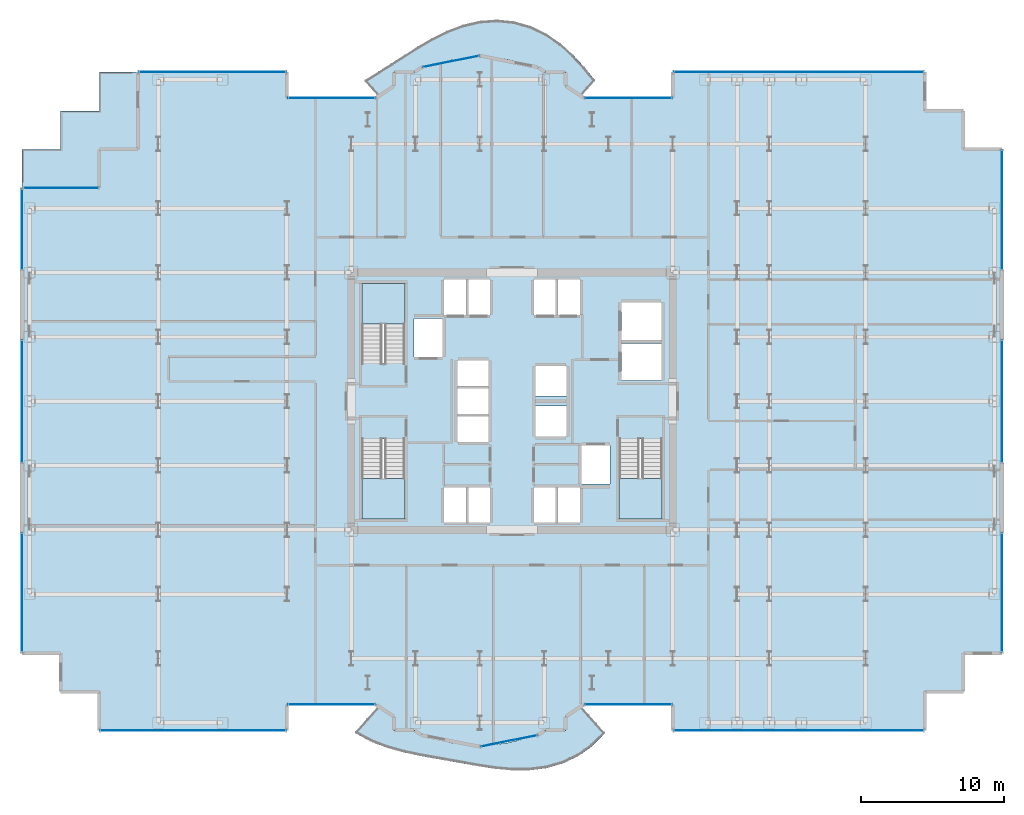
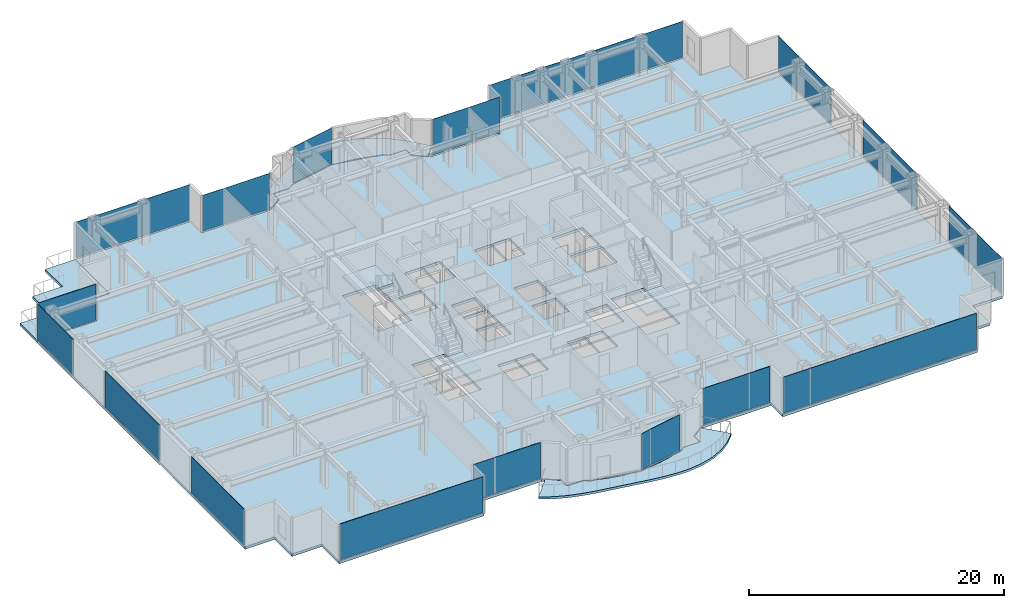
# One storey, part 20 of 29: 17 plates, 7 slabs, 20 elements without a shape of their own.
"""IFC4 building model written with IfcOpenShell, lengths in metres."""

from ifc_helpers import new_model, si_unit, direction, frame, origin, origin_2d, place, context, subcontext, project, spatial, polyline, rectangle, outline, extrude, source, transform, mapped, material, layer, layer_set, type_object, element, aggregate, save


model = new_model("IFC4")

# Units and contexts
model_context = context("Model", 3, precision=1e-05, world=origin(), true_north=direction((0.0, 1.0)))
body_context = subcontext(model_context, "Body", "Model", "MODEL_VIEW")
ifc_project = project(units=[si_unit("LENGTHUNIT", "METRE"), si_unit("AREAUNIT", "SQUARE_METRE"), si_unit("VOLUMEUNIT", "CUBIC_METRE"), si_unit("PLANEANGLEUNIT", "RADIAN"), si_unit("MASSUNIT", "GRAM", prefix="KILO")], contexts=[model_context])

# Site, building, storey
site_placement = place(None, origin())
site = spatial("IfcSite", under=ifc_project, at=site_placement, CompositionType="ELEMENT")
building_placement = place(site_placement, origin())
building = spatial("IfcBuilding", under=site, at=building_placement, Name="Nefas-Gora Pilgrimage Tower", CompositionType="ELEMENT")
storey_placement = place(building_placement, frame((0.0, 0.0, 125.0)))
storey = spatial("IfcBuildingStorey", under=building, at=storey_placement, Name="L30", CompositionType="ELEMENT", Elevation=125.0)

# Slabs
ifc_material_1 = material(Name="Concrete C40/50", Category="concrete")
ifc_layer_1 = layer(ifc_material_1, 0.219970703125)
ifc_layer_set_1 = layer_set([ifc_layer_1], Name="Concrete C40/50")
slab_type_1 = type_object("IfcSlabType", Name="SLB-BAL-P3", PredefinedType="FLOOR", material=ifc_layer_set_1)
slab_1_placement = place(storey_placement, frame((0.0, 0.0, -0.219970703125)))
element("IfcSlab", 1, at=slab_1_placement, inside=storey, type_object=slab_type_1, Name="L30 Sinusoidal Lobe Balcony Slab S (Phase 3)", PredefinedType="FLOOR", context=body_context, shape_type="SweptSolid", body=[
    extrude(outline(polyline([(4.78759765625, -21.385986328125), (4.724609375, -21.427978515625), (4.038330078125, -21.9912109375), (3.760009765625, -22.179931640625), (3.760009765625, -23.02001953125), (3.760009765625, -23.02099609375), (3.759765625, -23.02197265625), (3.759521484375, -23.02294921875), (3.75927734375, -23.023681640625), (3.7587890625, -23.024658203125), (3.75830078125, -23.025634765625), (3.7578125, -23.0263671875), (3.757080078125, -23.027099609375), (3.75634765625, -23.027587890625), (3.755615234375, -23.0283203125), (3.754638671875, -23.02880859375), (3.75390625, -23.029296875), (3.7529296875, -23.029541015625), (3.751953125, -23.02978515625), (3.7509765625, -23.030029296875), (3.75, -23.030029296875), (2.3271484375, -23.030029296875), (1.81298828125, -23.37353515625), (1.81201171875, -23.3740234375), (1.811279296875, -23.37451171875), (1.810302734375, -23.375), (1.809326171875, -23.375), (1.13037109375, -23.51025390625), (0.602783203125, -23.685302734375), (-0.334716796875, -23.904052734375), (-1.288330078125, -24.035888671875), (-1.580078125, -24.04931640625), (-2.248046875, -24.18212890625), (-2.2490234375, -24.182373046875), (-2.25, -24.182373046875), (-2.2509765625, -24.182373046875), (-2.251953125, -24.18212890625), (-2.919921875, -24.04931640625), (-3.211669921875, -24.035888671875), (-4.165283203125, -23.904052734375), (-5.102783203125, -23.685302734375), (-5.63037109375, -23.51025390625), (-6.309326171875, -23.375), (-6.310302734375, -23.375), (-6.311279296875, -23.37451171875), (-6.31201171875, -23.3740234375), (-6.31298828125, -23.37353515625), (-6.8271484375, -23.030029296875), (-8.25, -23.030029296875), (-8.2509765625, -23.030029296875), (-8.251953125, -23.02978515625), (-8.2529296875, -23.029541015625), (-8.25390625, -23.029296875), (-8.254638671875, -23.02880859375), (-8.255615234375, -23.0283203125), (-8.25634765625, -23.027587890625), (-8.257080078125, -23.027099609375), (-8.2578125, -23.0263671875), (-8.25830078125, -23.025634765625), (-8.2587890625, -23.024658203125), (-8.25927734375, -23.023681640625), (-8.259521484375, -23.02294921875), (-8.259765625, -23.02197265625), (-8.260009765625, -23.02099609375), (-8.260009765625, -23.02001953125), (-8.260009765625, -22.179931640625), (-8.538330078125, -21.9912109375), (-9.224609375, -21.427978515625), (-9.28759765625, -21.385986328125), (-10.9453125, -23.22705078125), (-9.891357421875, -23.802978515625), (-8.784912109375, -24.234130859375), (-7.66455078125, -24.5498046875), (-6.555908203125, -24.787353515625), (-5.469482421875, -24.985107421875), (-4.400390625, -25.172607421875), (-3.333740234375, -25.3642578125), (-2.25, -25.554931640625), (-1.133544921875, -25.720947265625), (0.021240234375, -25.824951171875), (1.20556640625, -25.822509765625), (2.3955078125, -25.672119140625), (3.555908203125, -25.343505859375), (4.64599609375, -24.8232421875), (5.627197265625, -24.118896484375), (6.4716796875, -23.25634765625), (4.78759765625, -21.385986328125)])), origin(), (0.0, 0.0, 1.0), 0.219970703125),
])
ifc_layer_2 = layer(ifc_material_1, 0.22509765625)
ifc_layer_set_2 = layer_set([ifc_layer_2], Name="Concrete C40/50")
slab_type_2 = type_object("IfcSlabType", Name="SLB-BAL-P7", PredefinedType="FLOOR", material=ifc_layer_set_2)
slab_2_placement = place(storey_placement, frame((0.0, 0.0, -0.22509765625)))
element("IfcSlab", 2, at=slab_2_placement, inside=storey, type_object=slab_type_2, Name="L30 Sinusoidal Lobe Balcony Slab N (Phase 7)", PredefinedType="FLOOR", context=body_context, shape_type="SweptSolid", body=[
    extrude(outline(polyline([(-9.28759765625, 21.385986328125), (-9.224609375, 21.427978515625), (-8.538330078125, 21.9912109375), (-8.260009765625, 22.179931640625), (-8.260009765625, 23.02001953125), (-8.260009765625, 23.02099609375), (-8.259765625, 23.02197265625), (-8.259521484375, 23.02294921875), (-8.25927734375, 23.023681640625), (-8.2587890625, 23.024658203125), (-8.25830078125, 23.025634765625), (-8.2578125, 23.0263671875), (-8.257080078125, 23.027099609375), (-8.25634765625, 23.027587890625), (-8.255615234375, 23.0283203125), (-8.254638671875, 23.02880859375), (-8.25390625, 23.029296875), (-8.2529296875, 23.029541015625), (-8.251953125, 23.02978515625), (-8.2509765625, 23.030029296875), (-8.25, 23.030029296875), (-6.8271484375, 23.030029296875), (-6.31298828125, 23.37353515625), (-6.31201171875, 23.3740234375), (-6.311279296875, 23.37451171875), (-6.310302734375, 23.375), (-6.309326171875, 23.375), (-5.63037109375, 23.51025390625), (-5.102783203125, 23.685302734375), (-4.165283203125, 23.904052734375), (-3.211669921875, 24.035888671875), (-2.919921875, 24.04931640625), (-2.251953125, 24.18212890625), (-2.2509765625, 24.182373046875), (-2.25, 24.182373046875), (-2.2490234375, 24.182373046875), (-2.248046875, 24.18212890625), (-1.580078125, 24.04931640625), (-1.288330078125, 24.035888671875), (-0.334716796875, 23.904052734375), (0.602783203125, 23.685302734375), (1.13037109375, 23.51025390625), (1.809326171875, 23.375), (1.810302734375, 23.375), (1.811279296875, 23.37451171875), (1.81201171875, 23.3740234375), (1.81298828125, 23.37353515625), (2.3271484375, 23.030029296875), (3.75, 23.030029296875), (3.7509765625, 23.030029296875), (3.751953125, 23.02978515625), (3.7529296875, 23.029541015625), (3.75390625, 23.029296875), (3.754638671875, 23.02880859375), (3.755615234375, 23.0283203125), (3.75634765625, 23.027587890625), (3.757080078125, 23.027099609375), (3.7578125, 23.0263671875), (3.75830078125, 23.025634765625), (3.7587890625, 23.024658203125), (3.75927734375, 23.023681640625), (3.759521484375, 23.02294921875), (3.759765625, 23.02197265625), (3.760009765625, 23.02099609375), (3.760009765625, 23.02001953125), (3.760009765625, 22.179931640625), (4.038330078125, 21.9912109375), (4.724609375, 21.427978515625), (4.78759765625, 21.385986328125), (5.782958984375, 22.491455078125), (5.06689453125, 23.368408203125), (4.27734375, 24.2216796875), (3.392578125, 25.01220703125), (2.4033203125, 25.692138671875), (1.316650390625, 26.21630859375), (0.155517578125, 26.548583984375), (-1.046142578125, 26.6708984375), (-2.25, 26.585205078125), (-3.4208984375, 26.314208984375), (-4.53466796875, 25.896484375), (-5.580322265625, 25.37890625), (-6.563720703125, 24.807373046875), (-7.501220703125, 24.218505859375), (-8.41650390625, 23.6328125), (-9.330810546875, 23.052490234375), (-10.256591796875, 22.462158203125), (-9.28759765625, 21.385986328125)])), origin(), (0.0, 0.0, 1.0), 0.22509765625),
])
ifc_layer_3 = layer(ifc_material_1, 0.239990234375)
ifc_layer_set_3 = layer_set([ifc_layer_3], Name="Concrete C40/50")
slab_type_3 = type_object("IfcSlabType", Name="SLB-TER-SP-NW", PredefinedType="FLOOR", material=ifc_layer_set_3)
slab_3_placement = place(storey_placement, frame((0.0, 0.0, -0.239990234375)))
element("IfcSlab", 3, at=slab_3_placement, inside=storey, type_object=slab_type_3, Name="L30 Outdoor Sky Terrace Slab TER-SP-NW", PredefinedType="FLOOR", context=body_context, shape_type="SweptSolid", body=[
    extrude(outline(polyline([(-34.27001953125, 14.919921875), (-28.8701171875, 14.919921875), (-28.8701171875, 17.6201171875), (-26.169921875, 17.6201171875), (-26.169921875, 23.02001953125), (-28.8701171875, 23.02001953125), (-28.8701171875, 20.320068359375), (-31.570068359375, 20.320068359375), (-31.570068359375, 17.6201171875), (-34.27001953125, 17.6201171875), (-34.27001953125, 14.919921875)])), origin(), (0.0, 0.0, 1.0), 0.239990234375),
])
ifc_layer_4 = layer(ifc_material_1, 0.25)
ifc_layer_set_4 = layer_set([ifc_layer_4], Name="Concrete C40/50")
slab_type_4 = type_object("IfcSlabType", Name="SLB-TWR-250", PredefinedType="FLOOR", material=ifc_layer_set_4)
slab_4_placement = place(storey_placement, frame((0.0, 0.0, -0.25)))
element("IfcSlab", 4, at=slab_4_placement, inside=storey, type_object=slab_type_4, Name="L30 Structural Floor Slab", PredefinedType="FLOOR", context=body_context, shape_type="SweptSolid", body=[
    extrude(outline(polyline([(5.01806640625, -21.219970703125), (11.25, -21.219970703125), (11.25, -23.02001953125), (28.8701171875, -23.02001953125), (28.8701171875, -20.320068359375), (31.570068359375, -20.320068359375), (31.570068359375, -17.6201171875), (34.27001953125, -17.6201171875), (34.27001953125, 17.6201171875), (31.570068359375, 17.6201171875), (31.570068359375, 20.320068359375), (28.8701171875, 20.320068359375), (28.8701171875, 23.02001953125), (11.25, 23.02001953125), (11.25, 21.219970703125), (5.01806640625, 21.219970703125), (3.75, 22.0673828125), (3.75, 23.02001953125), (2.32421875, 23.02001953125), (1.807373046875, 23.365234375), (-2.25, 24.17236328125), (-6.307373046875, 23.365234375), (-6.82421875, 23.02001953125), (-8.25, 23.02001953125), (-8.25, 22.0673828125), (-9.51806640625, 21.219970703125), (-15.75, 21.219970703125), (-15.75, 23.02001953125), (-26.169921875, 23.02001953125), (-26.169921875, 17.6201171875), (-28.8701171875, 17.6201171875), (-28.8701171875, 14.919921875), (-34.27001953125, 14.919921875), (-34.27001953125, -17.6201171875), (-31.570068359375, -17.6201171875), (-31.570068359375, -20.320068359375), (-28.8701171875, -20.320068359375), (-28.8701171875, -23.02001953125), (-15.75, -23.02001953125), (-15.75, -21.219970703125), (-9.51806640625, -21.219970703125), (-8.25, -22.0673828125), (-8.25, -23.02001953125), (-6.82421875, -23.02001953125), (-6.307373046875, -23.365234375), (-2.25, -24.17236328125), (1.807373046875, -23.365234375), (2.32421875, -23.02001953125), (3.75, -23.02001953125), (3.75, -22.0673828125), (5.01806640625, -21.219970703125)]), holes=[polyline([(-10.5, 2.639892578125), (-10.5, 8.25), (-7.5, 8.25), (-7.5, 2.639892578125), (-10.5, 2.639892578125)]), polyline([(10.5, -2.639892578125), (10.5, -8.25), (7.5, -8.25), (7.5, -2.639892578125), (10.5, -2.639892578125)]), polyline([(-7.5, -2.639892578125), (-7.5, -8.25), (-10.5, -8.25), (-10.5, -2.639892578125), (-7.5, -2.639892578125)]), polyline([(-6.85009765625, 5.800048828125), (-4.85009765625, 5.800048828125), (-4.85009765625, 3.10009765625), (-6.85009765625, 3.10009765625), (-6.85009765625, 5.800048828125)]), polyline([(4.85009765625, -3.10009765625), (6.85009765625, -3.10009765625), (6.85009765625, -5.800048828125), (4.85009765625, -5.800048828125), (4.85009765625, -3.10009765625)]), polyline([(7.64990234375, 4.050048828125), (10.449951171875, 4.050048828125), (10.449951171875, 1.449951171875), (7.64990234375, 1.449951171875), (7.64990234375, 4.050048828125)]), polyline([(7.64990234375, 6.89990234375), (10.449951171875, 6.89990234375), (10.449951171875, 4.300048828125), (7.64990234375, 4.300048828125), (7.64990234375, 6.89990234375)]), polyline([(-4.75, 8.5), (-3.14990234375, 8.5), (-3.14990234375, 6.050048828125), (-4.75, 6.050048828125), (-4.75, 8.5)]), polyline([(-3.10009765625, 8.5), (-1.550048828125, 8.5), (-1.550048828125, 6.050048828125), (-3.10009765625, 6.050048828125), (-3.10009765625, 8.5)]), polyline([(1.550048828125, 8.5), (3.10009765625, 8.5), (3.10009765625, 6.050048828125), (1.550048828125, 6.050048828125), (1.550048828125, 8.5)]), polyline([(3.14990234375, 8.5), (4.75, 8.5), (4.75, 6.050048828125), (3.14990234375, 6.050048828125), (3.14990234375, 8.5)]), polyline([(-4.75, -6.050048828125), (-3.14990234375, -6.050048828125), (-3.14990234375, -8.5), (-4.75, -8.5), (-4.75, -6.050048828125)]), polyline([(-3.10009765625, -6.050048828125), (-1.550048828125, -6.050048828125), (-1.550048828125, -8.5), (-3.10009765625, -8.5), (-3.10009765625, -6.050048828125)]), polyline([(1.550048828125, -6.050048828125), (3.10009765625, -6.050048828125), (3.10009765625, -8.5), (1.550048828125, -8.5), (1.550048828125, -6.050048828125)]), polyline([(3.14990234375, -6.050048828125), (4.75, -6.050048828125), (4.75, -8.5), (3.14990234375, -8.5), (3.14990234375, -6.050048828125)]), polyline([(-3.800048828125, -1.050048828125), (-1.64990234375, -1.050048828125), (-1.64990234375, -2.85009765625), (-3.800048828125, -2.85009765625), (-3.800048828125, -1.050048828125)]), polyline([(-3.800048828125, 0.89990234375), (-1.64990234375, 0.89990234375), (-1.64990234375, -0.89990234375), (-3.800048828125, -0.89990234375), (-3.800048828125, 0.89990234375)]), polyline([(-3.800048828125, 2.85009765625), (-1.64990234375, 2.85009765625), (-1.64990234375, 1.050048828125), (-3.800048828125, 1.050048828125), (-3.800048828125, 2.85009765625)]), polyline([(1.64990234375, -0.35009765625), (3.800048828125, -0.35009765625), (3.800048828125, -2.449951171875), (1.64990234375, -2.449951171875), (1.64990234375, -0.35009765625)]), polyline([(1.64990234375, 2.449951171875), (3.800048828125, 2.449951171875), (3.800048828125, 0.35009765625), (1.64990234375, 0.35009765625), (1.64990234375, 2.449951171875)])]), origin(), (0.0, 0.0, 1.0), 0.25),
])

# Stair, slab
ifc_material_2 = material(Name="Concrete C45/55", Category="concrete")
stair_type = type_object("IfcStairType", Name="STR-1400-R1727", PredefinedType="HALF_TURN_STAIR", material=ifc_material_2)
stair_1_placement = place(storey_placement, origin())
stair_1 = element("IfcStair", 5, at=stair_1_placement, inside=storey, type_object=stair_type, Name="L30 Pressurised Tower Exit Stair ST-01", PredefinedType="HALF_TURN_STAIR")
ifc_layer_5 = layer(ifc_material_1, 0.199951171875)
ifc_layer_set_5 = layer_set([ifc_layer_5], Name="Concrete C40/50")
slab_type_5 = type_object("IfcSlabType", Name="STR-LAND-200", PredefinedType="LANDING", material=ifc_layer_set_5)
slab_5_placement = place(storey_placement, frame((0.0, 0.0, 1.699951171875)))
slab_5 = element("IfcSlab", 6, at=slab_5_placement, type_object=slab_type_5, Name="ST-01 landing 1", PredefinedType="LANDING", context=body_context, shape_type="SweptSolid", body=[
    extrude(outline(polyline([(-7.5, 5.39990234375), (-7.5, 8.25), (-10.5, 8.25), (-10.5, 5.39990234375), (-7.5, 5.39990234375)])), origin(), (0.0, 0.0, 1.0), 0.199951171875),
])
aggregate(stair_1, [slab_5])

stair_2_placement = place(storey_placement, origin())
stair_2 = element("IfcStair", 7, at=stair_2_placement, inside=storey, type_object=stair_type, Name="L30 Pressurised Tower Exit Stair ST-02", PredefinedType="HALF_TURN_STAIR")
slab_6_placement = place(storey_placement, frame((0.0, 0.0, 1.699951171875)))
slab_6 = element("IfcSlab", 8, at=slab_6_placement, type_object=slab_type_5, Name="ST-02 landing 1", PredefinedType="LANDING", context=body_context, shape_type="SweptSolid", body=[
    extrude(outline(polyline([(7.5, -5.39990234375), (7.5, -8.25), (10.5, -8.25), (10.5, -5.39990234375), (7.5, -5.39990234375)])), origin(), (0.0, 0.0, 1.0), 0.199951171875),
])
aggregate(stair_2, [slab_6])

stair_3_placement = place(storey_placement, origin())
stair_3 = element("IfcStair", 9, at=stair_3_placement, inside=storey, type_object=stair_type, Name="L30 Pressurised Tower Exit Stair ST-03", PredefinedType="HALF_TURN_STAIR")
slab_7_placement = place(storey_placement, frame((0.0, 0.0, 1.699951171875)))
slab_7 = element("IfcSlab", 10, at=slab_7_placement, type_object=slab_type_5, Name="ST-03 landing 1", PredefinedType="LANDING", context=body_context, shape_type="SweptSolid", body=[
    extrude(outline(polyline([(-10.5, -5.39990234375), (-10.5, -8.25), (-7.5, -8.25), (-7.5, -5.39990234375), (-10.5, -5.39990234375)])), origin(), (0.0, 0.0, 1.0), 0.199951171875),
])
aggregate(stair_3, [slab_7])

# Curtain wall, plate
ifc_material_3 = material(Name="Dark ceramic-fritted solar-control aluminium-glass curtain wall", Category="aluminium")
ifc_layer_6 = layer(ifc_material_3, 0.219970703125)
ifc_layer_set_6 = layer_set([ifc_layer_6], Name="Dark ceramic-fritted solar-control aluminium-glass curtain wall")
curtain_wall_type_1 = type_object("IfcCurtainWallType", Name="CW-SYS-5", PredefinedType="NOTDEFINED", material=ifc_layer_set_6)
curtain_wall_1_placement = place(storey_placement, origin())
curtain_wall_1 = element("IfcCurtainWall", 11, at=curtain_wall_1_placement, inside=storey, type_object=curtain_wall_type_1, Name="L30 Unitised Curtain Wall CW5", PredefinedType="NOTDEFINED")
ifc_material_4 = material(Name="Dark ceramic-printed low-e insulated glass", Category="glass")
ifc_layer_7 = layer(ifc_material_4, 0.028076171875)
ifc_layer_set_7 = layer_set([ifc_layer_7], Name="Dark ceramic-printed low-e insulated glass")
plate_type_1 = type_object("IfcPlateType", Name="CWP-PNL-5", PredefinedType="CURTAIN_PANEL", material=ifc_layer_set_7)
shared_shape_1 = source(origin(), body_context, "Body", "SweptSolid", [
    extrude(rectangle(XDim=6.052001953125, YDim=0.028076171875, at=origin_2d()), origin(), (0.0, 0.0, 1.0), 3.43994140625),
])
plate_1_placement = place(storey_placement, frame((8.134033203125, -21.219970703125, 0.10009765625), z_axis=(0.0, 0.0, 1.0), x_axis=(1.0, 0.0, 0.0)))
plate_1 = element("IfcPlate", 12, at=plate_1_placement, type_object=plate_type_1, Name="CW5 Ceramic-Fritted Glazing Panel 1", PredefinedType="CURTAIN_PANEL", context=body_context, shape_type="MappedRepresentation", body=[
    mapped(shared_shape_1, transform((0.0, 0.0, 0.0), x_axis=(1.0, 0.0, 0.0), y_axis=(0.0, 1.0, 0.0), z_axis=(0.0, 0.0, 1.0), scale=1.0)),
])
aggregate(curtain_wall_1, [plate_1])

curtain_wall_2_placement = place(storey_placement, origin())
curtain_wall_2 = element("IfcCurtainWall", 13, at=curtain_wall_2_placement, inside=storey, type_object=curtain_wall_type_1, Name="L30 Unitised Curtain Wall CW5", PredefinedType="NOTDEFINED")
plate_2_placement = place(storey_placement, frame((8.134033203125, 21.219970703125, 0.10009765625), z_axis=(0.0, 0.0, 1.0), x_axis=(-1.0, 0.0, 0.0)))
plate_2 = element("IfcPlate", 14, at=plate_2_placement, type_object=plate_type_1, Name="CW5 Ceramic-Fritted Glazing Panel 1", PredefinedType="CURTAIN_PANEL", context=body_context, shape_type="MappedRepresentation", body=[
    mapped(shared_shape_1, transform((0.0, 0.0, 0.0), x_axis=(1.0, 0.0, 0.0), y_axis=(0.0, 1.0, 0.0), z_axis=(0.0, 0.0, 1.0), scale=1.0)),
])
aggregate(curtain_wall_2, [plate_2])

curtain_wall_3_placement = place(storey_placement, origin())
curtain_wall_3 = element("IfcCurtainWall", 15, at=curtain_wall_3_placement, inside=storey, type_object=curtain_wall_type_1, Name="L30 Unitised Curtain Wall CW5", PredefinedType="NOTDEFINED")
plate_3_placement = place(storey_placement, frame((-12.634033203125, 21.219970703125, 0.10009765625), z_axis=(0.0, 0.0, 1.0), x_axis=(-1.0, 0.0, 0.0)))
plate_3 = element("IfcPlate", 16, at=plate_3_placement, type_object=plate_type_1, Name="CW5 Ceramic-Fritted Glazing Panel 1", PredefinedType="CURTAIN_PANEL", context=body_context, shape_type="MappedRepresentation", body=[
    mapped(shared_shape_1, transform((0.0, 0.0, 0.0), x_axis=(1.0, 0.0, 0.0), y_axis=(0.0, 1.0, 0.0), z_axis=(0.0, 0.0, 1.0), scale=1.0)),
])
aggregate(curtain_wall_3, [plate_3])

curtain_wall_4_placement = place(storey_placement, origin())
curtain_wall_4 = element("IfcCurtainWall", 17, at=curtain_wall_4_placement, inside=storey, type_object=curtain_wall_type_1, Name="L30 Unitised Curtain Wall CW5", PredefinedType="NOTDEFINED")
plate_4_placement = place(storey_placement, frame((-12.634033203125, -21.219970703125, 0.10009765625), z_axis=(0.0, 0.0, 1.0), x_axis=(1.0, 0.0, 0.0)))
plate_4 = element("IfcPlate", 18, at=plate_4_placement, type_object=plate_type_1, Name="CW5 Ceramic-Fritted Glazing Panel 1", PredefinedType="CURTAIN_PANEL", context=body_context, shape_type="MappedRepresentation", body=[
    mapped(shared_shape_1, transform((0.0, 0.0, 0.0), x_axis=(1.0, 0.0, 0.0), y_axis=(0.0, 1.0, 0.0), z_axis=(0.0, 0.0, 1.0), scale=1.0)),
])
aggregate(curtain_wall_4, [plate_4])

ifc_layer_8 = layer(ifc_material_3, 0.219970703125)
ifc_layer_set_8 = layer_set([ifc_layer_8], Name="Dark ceramic-fritted solar-control aluminium-glass curtain wall")
curtain_wall_type_2 = type_object("IfcCurtainWallType", Name="CW-SYS-2", PredefinedType="NOTDEFINED", material=ifc_layer_set_8)
curtain_wall_5_placement = place(storey_placement, origin())
curtain_wall_5 = element("IfcCurtainWall", 19, at=curtain_wall_5_placement, inside=storey, type_object=curtain_wall_type_2, Name="L30 Unitised Curtain Wall CW2", PredefinedType="NOTDEFINED")
ifc_layer_9 = layer(ifc_material_4, 0.031982421875)
ifc_layer_set_9 = layer_set([ifc_layer_9], Name="Dark ceramic-printed low-e insulated glass")
plate_type_2 = type_object("IfcPlateType", Name="CWP-PNL-2", PredefinedType="CURTAIN_PANEL", material=ifc_layer_set_9)
shared_shape_2 = source(origin(), body_context, "Body", "SweptSolid", [
    extrude(rectangle(XDim=17.43994140625, YDim=0.031982421875, at=origin_2d()), origin(), (0.0, 0.0, 1.0), 3.43994140625),
])
plate_5_placement = place(storey_placement, frame((20.06005859375, -23.02001953125, 0.10009765625), z_axis=(0.0, 0.0, 1.0), x_axis=(1.0, 0.0, 0.0)))
plate_5 = element("IfcPlate", 20, at=plate_5_placement, type_object=plate_type_2, Name="CW2 Ceramic-Fritted Glazing Panel 1", PredefinedType="CURTAIN_PANEL", context=body_context, shape_type="MappedRepresentation", body=[
    mapped(shared_shape_2, transform((0.0, 0.0, 0.0), x_axis=(1.0, 0.0, 0.0), y_axis=(0.0, 1.0, 0.0), z_axis=(0.0, 0.0, 1.0), scale=1.0)),
])
aggregate(curtain_wall_5, [plate_5])

curtain_wall_6_placement = place(storey_placement, origin())
curtain_wall_6 = element("IfcCurtainWall", 21, at=curtain_wall_6_placement, inside=storey, type_object=curtain_wall_type_2, Name="L30 Unitised Curtain Wall CW2", PredefinedType="NOTDEFINED")
plate_6_placement = place(storey_placement, frame((20.06005859375, 23.02001953125, 0.10009765625), z_axis=(0.0, 0.0, 1.0), x_axis=(-1.0, 0.0, 0.0)))
plate_6 = element("IfcPlate", 22, at=plate_6_placement, type_object=plate_type_2, Name="CW2 Ceramic-Fritted Glazing Panel 1", PredefinedType="CURTAIN_PANEL", context=body_context, shape_type="MappedRepresentation", body=[
    mapped(shared_shape_2, transform((0.0, 0.0, 0.0), x_axis=(1.0, 0.0, 0.0), y_axis=(0.0, 1.0, 0.0), z_axis=(0.0, 0.0, 1.0), scale=1.0)),
])
aggregate(curtain_wall_6, [plate_6])

curtain_wall_7_placement = place(storey_placement, origin())
curtain_wall_7 = element("IfcCurtainWall", 23, at=curtain_wall_7_placement, inside=storey, type_object=curtain_wall_type_2, Name="L30 Unitised Curtain Wall CW2", PredefinedType="NOTDEFINED")
shared_shape_3 = source(origin(), body_context, "Body", "SweptSolid", [
    extrude(rectangle(XDim=8.2900390625, YDim=0.031982421875, at=origin_2d()), origin(), (0.0, 0.0, 1.0), 3.43994140625),
])
plate_7_placement = place(storey_placement, frame((34.27001953125, -13.385009765625, 0.10009765625), z_axis=(0.0, 0.0, 1.0), x_axis=(0.0, 1.0, 0.0)))
plate_7 = element("IfcPlate", 24, at=plate_7_placement, type_object=plate_type_2, Name="CW2 Ceramic-Fritted Glazing Panel 1", PredefinedType="CURTAIN_PANEL", context=body_context, shape_type="MappedRepresentation", body=[
    mapped(shared_shape_3, transform((0.0, 0.0, 0.0), x_axis=(1.0, 0.0, 0.0), y_axis=(0.0, 1.0, 0.0), z_axis=(0.0, 0.0, 1.0), scale=1.0)),
])
aggregate(curtain_wall_7, [plate_7])

curtain_wall_8_placement = place(storey_placement, origin())
curtain_wall_8 = element("IfcCurtainWall", 25, at=curtain_wall_8_placement, inside=storey, type_object=curtain_wall_type_2, Name="L30 Unitised Curtain Wall CW2", PredefinedType="NOTDEFINED")
plate_8_placement = place(storey_placement, frame((34.27001953125, 13.385009765625, 0.10009765625), z_axis=(0.0, 0.0, 1.0), x_axis=(0.0, 1.0, 0.0)))
plate_8 = element("IfcPlate", 26, at=plate_8_placement, type_object=plate_type_2, Name="CW2 Ceramic-Fritted Glazing Panel 1", PredefinedType="CURTAIN_PANEL", context=body_context, shape_type="MappedRepresentation", body=[
    mapped(shared_shape_3, transform((0.0, 0.0, 0.0), x_axis=(1.0, 0.0, 0.0), y_axis=(0.0, 1.0, 0.0), z_axis=(0.0, 0.0, 1.0), scale=1.0)),
])
aggregate(curtain_wall_8, [plate_8])

curtain_wall_9_placement = place(storey_placement, origin())
curtain_wall_9 = element("IfcCurtainWall", 27, at=curtain_wall_9_placement, inside=storey, type_object=curtain_wall_type_2, Name="L30 Unitised Curtain Wall CW2", PredefinedType="NOTDEFINED")
plate_9_placement = place(storey_placement, frame((-34.27001953125, -13.385009765625, 0.10009765625), z_axis=(0.0, 0.0, 1.0), x_axis=(0.0, -1.0, 0.0)))
plate_9 = element("IfcPlate", 28, at=plate_9_placement, type_object=plate_type_2, Name="CW2 Ceramic-Fritted Glazing Panel 1", PredefinedType="CURTAIN_PANEL", context=body_context, shape_type="MappedRepresentation", body=[
    mapped(shared_shape_3, transform((0.0, 0.0, 0.0), x_axis=(1.0, 0.0, 0.0), y_axis=(0.0, 1.0, 0.0), z_axis=(0.0, 0.0, 1.0), scale=1.0)),
])
aggregate(curtain_wall_9, [plate_9])

curtain_wall_10_placement = place(storey_placement, origin())
curtain_wall_10 = element("IfcCurtainWall", 29, at=curtain_wall_10_placement, inside=storey, type_object=curtain_wall_type_2, Name="L30 Unitised Curtain Wall CW2", PredefinedType="NOTDEFINED")
shared_shape_4 = source(origin(), body_context, "Body", "SweptSolid", [
    extrude(rectangle(XDim=8.52001953125, YDim=0.031982421875, at=origin_2d()), origin(), (0.0, 0.0, 1.0), 3.43994140625),
])
plate_10_placement = place(storey_placement, frame((34.27001953125, 0.0, 0.10009765625), z_axis=(0.0, 0.0, 1.0), x_axis=(0.0, 1.0, 0.0)))
plate_10 = element("IfcPlate", 30, at=plate_10_placement, type_object=plate_type_2, Name="CW2 Ceramic-Fritted Glazing Panel 1", PredefinedType="CURTAIN_PANEL", context=body_context, shape_type="MappedRepresentation", body=[
    mapped(shared_shape_4, transform((0.0, 0.0, 0.0), x_axis=(1.0, 0.0, 0.0), y_axis=(0.0, 1.0, 0.0), z_axis=(0.0, 0.0, 1.0), scale=1.0)),
])
aggregate(curtain_wall_10, [plate_10])

curtain_wall_11_placement = place(storey_placement, origin())
curtain_wall_11 = element("IfcCurtainWall", 31, at=curtain_wall_11_placement, inside=storey, type_object=curtain_wall_type_2, Name="L30 Unitised Curtain Wall CW2", PredefinedType="NOTDEFINED")
plate_11_placement = place(storey_placement, frame((-34.27001953125, 0.0, 0.10009765625), z_axis=(0.0, 0.0, 1.0), x_axis=(0.0, -1.0, 0.0)))
plate_11 = element("IfcPlate", 32, at=plate_11_placement, type_object=plate_type_2, Name="CW2 Ceramic-Fritted Glazing Panel 1", PredefinedType="CURTAIN_PANEL", context=body_context, shape_type="MappedRepresentation", body=[
    mapped(shared_shape_4, transform((0.0, 0.0, 0.0), x_axis=(1.0, 0.0, 0.0), y_axis=(0.0, 1.0, 0.0), z_axis=(0.0, 0.0, 1.0), scale=1.0)),
])
aggregate(curtain_wall_11, [plate_11])

curtain_wall_12_placement = place(storey_placement, origin())
curtain_wall_12 = element("IfcCurtainWall", 33, at=curtain_wall_12_placement, inside=storey, type_object=curtain_wall_type_1, Name="L30 Unitised Curtain Wall CW5", PredefinedType="NOTDEFINED")
shared_shape_5 = source(origin(), body_context, "Body", "SweptSolid", [
    extrude(rectangle(XDim=3.956787109375, YDim=0.028076171875, at=origin_2d()), origin(), (0.0, 0.0, 1.0), 3.43994140625),
])
plate_12_placement = place(storey_placement, frame((-4.278564453125, 23.768798828125, 0.10009765625), z_axis=(0.0, 0.0, 1.0), x_axis=(-0.980782896852, -0.195102304554, 0.0)))
plate_12 = element("IfcPlate", 34, at=plate_12_placement, type_object=plate_type_1, Name="CW5 Ceramic-Fritted Glazing Panel 1", PredefinedType="CURTAIN_PANEL", context=body_context, shape_type="MappedRepresentation", body=[
    mapped(shared_shape_5, transform((0.0, 0.0, 0.0), x_axis=(1.0, 0.0, 0.0), y_axis=(0.0, 1.0, 0.0), z_axis=(0.0, 0.0, 1.0), scale=1.0)),
])
aggregate(curtain_wall_12, [plate_12])

curtain_wall_13_placement = place(storey_placement, origin())
curtain_wall_13 = element("IfcCurtainWall", 35, at=curtain_wall_13_placement, inside=storey, type_object=curtain_wall_type_1, Name="L30 Unitised Curtain Wall CW5", PredefinedType="NOTDEFINED")
plate_13_placement = place(storey_placement, frame((-0.221435546875, -23.768798828125, 0.10009765625), z_axis=(0.0, 0.0, 1.0), x_axis=(0.980782896852, 0.195102304554, 0.0)))
plate_13 = element("IfcPlate", 36, at=plate_13_placement, type_object=plate_type_1, Name="CW5 Ceramic-Fritted Glazing Panel 1", PredefinedType="CURTAIN_PANEL", context=body_context, shape_type="MappedRepresentation", body=[
    mapped(shared_shape_5, transform((0.0, 0.0, 0.0), x_axis=(1.0, 0.0, 0.0), y_axis=(0.0, 1.0, 0.0), z_axis=(0.0, 0.0, 1.0), scale=1.0)),
])
aggregate(curtain_wall_13, [plate_13])

curtain_wall_14_placement = place(storey_placement, origin())
curtain_wall_14 = element("IfcCurtainWall", 37, at=curtain_wall_14_placement, inside=storey, type_object=curtain_wall_type_2, Name="L30 Unitised Curtain Wall CW2", PredefinedType="NOTDEFINED")
shared_shape_6 = source(origin(), body_context, "Body", "SweptSolid", [
    extrude(rectangle(XDim=12.93994140625, YDim=0.031982421875, at=origin_2d()), origin(), (0.0, 0.0, 1.0), 3.43994140625),
])
plate_14_placement = place(storey_placement, frame((-22.31005859375, -23.02001953125, 0.10009765625), z_axis=(0.0, 0.0, 1.0), x_axis=(1.0, 0.0, 0.0)))
plate_14 = element("IfcPlate", 38, at=plate_14_placement, type_object=plate_type_2, Name="CW2 Ceramic-Fritted Glazing Panel 1", PredefinedType="CURTAIN_PANEL", context=body_context, shape_type="MappedRepresentation", body=[
    mapped(shared_shape_6, transform((0.0, 0.0, 0.0), x_axis=(1.0, 0.0, 0.0), y_axis=(0.0, 1.0, 0.0), z_axis=(0.0, 0.0, 1.0), scale=1.0)),
])
aggregate(curtain_wall_14, [plate_14])

curtain_wall_15_placement = place(storey_placement, origin())
curtain_wall_15 = element("IfcCurtainWall", 39, at=curtain_wall_15_placement, inside=storey, type_object=curtain_wall_type_2, Name="L30 Unitised Curtain Wall CW2", PredefinedType="NOTDEFINED")
shared_shape_7 = source(origin(), body_context, "Body", "SweptSolid", [
    extrude(rectangle(XDim=5.219970703125, YDim=0.031982421875, at=origin_2d()), origin(), (0.0, 0.0, 1.0), 3.43994140625),
])
plate_15_placement = place(storey_placement, frame((-31.570068359375, 14.919921875, 0.10009765625), z_axis=(0.0, 0.0, 1.0), x_axis=(-1.0, 0.0, 0.0)))
plate_15 = element("IfcPlate", 40, at=plate_15_placement, type_object=plate_type_2, Name="CW2 Ceramic-Fritted Glazing Panel 1", PredefinedType="CURTAIN_PANEL", context=body_context, shape_type="MappedRepresentation", body=[
    mapped(shared_shape_7, transform((0.0, 0.0, 0.0), x_axis=(1.0, 0.0, 0.0), y_axis=(0.0, 1.0, 0.0), z_axis=(0.0, 0.0, 1.0), scale=1.0)),
])
aggregate(curtain_wall_15, [plate_15])

curtain_wall_16_placement = place(storey_placement, origin())
curtain_wall_16 = element("IfcCurtainWall", 41, at=curtain_wall_16_placement, inside=storey, type_object=curtain_wall_type_2, Name="L30 Unitised Curtain Wall CW2", PredefinedType="NOTDEFINED")
shared_shape_8 = source(origin(), body_context, "Body", "SweptSolid", [
    extrude(rectangle(XDim=10.239990234375, YDim=0.031982421875, at=origin_2d()), origin(), (0.0, 0.0, 1.0), 3.43994140625),
])
plate_16_placement = place(storey_placement, frame((-20.9599609375, 23.02001953125, 0.10009765625), z_axis=(0.0, 0.0, 1.0), x_axis=(-1.0, 0.0, 0.0)))
plate_16 = element("IfcPlate", 42, at=plate_16_placement, type_object=plate_type_2, Name="CW2 Ceramic-Fritted Glazing Panel 1", PredefinedType="CURTAIN_PANEL", context=body_context, shape_type="MappedRepresentation", body=[
    mapped(shared_shape_8, transform((0.0, 0.0, 0.0), x_axis=(1.0, 0.0, 0.0), y_axis=(0.0, 1.0, 0.0), z_axis=(0.0, 0.0, 1.0), scale=1.0)),
])
aggregate(curtain_wall_16, [plate_16])

curtain_wall_17_placement = place(storey_placement, origin())
curtain_wall_17 = element("IfcCurtainWall", 43, at=curtain_wall_17_placement, inside=storey, type_object=curtain_wall_type_2, Name="L30 Unitised Curtain Wall CW2", PredefinedType="NOTDEFINED")
shared_shape_9 = source(origin(), body_context, "Body", "SweptSolid", [
    extrude(rectangle(XDim=5.590087890625, YDim=0.031982421875, at=origin_2d()), origin(), (0.0, 0.0, 1.0), 3.43994140625),
])
plate_17_placement = place(storey_placement, frame((-34.27001953125, 12.034912109375, 0.10009765625), z_axis=(0.0, 0.0, 1.0), x_axis=(0.0, -1.0, 0.0)))
plate_17 = element("IfcPlate", 44, at=plate_17_placement, type_object=plate_type_2, Name="CW2 Ceramic-Fritted Glazing Panel 1", PredefinedType="CURTAIN_PANEL", context=body_context, shape_type="MappedRepresentation", body=[
    mapped(shared_shape_9, transform((0.0, 0.0, 0.0), x_axis=(1.0, 0.0, 0.0), y_axis=(0.0, 1.0, 0.0), z_axis=(0.0, 0.0, 1.0), scale=1.0)),
])
aggregate(curtain_wall_17, [plate_17])

save(model, "model.ifc")
